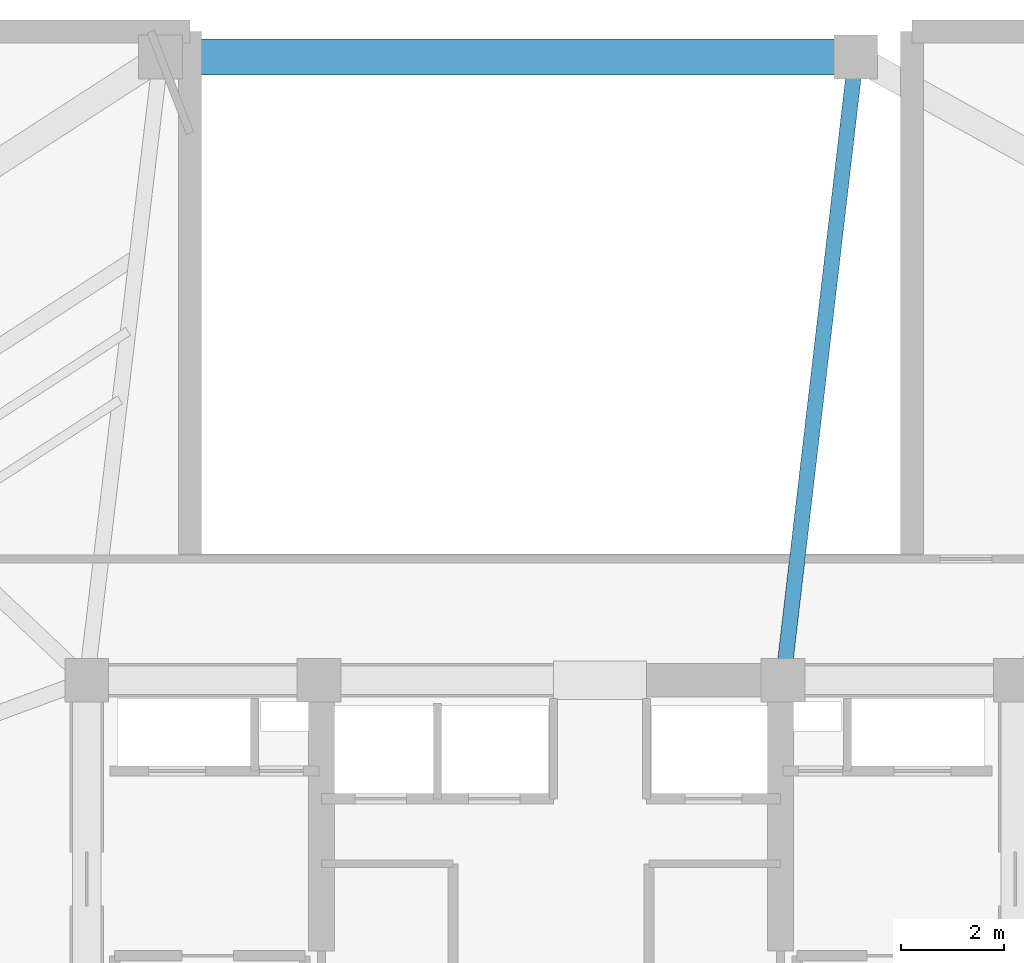
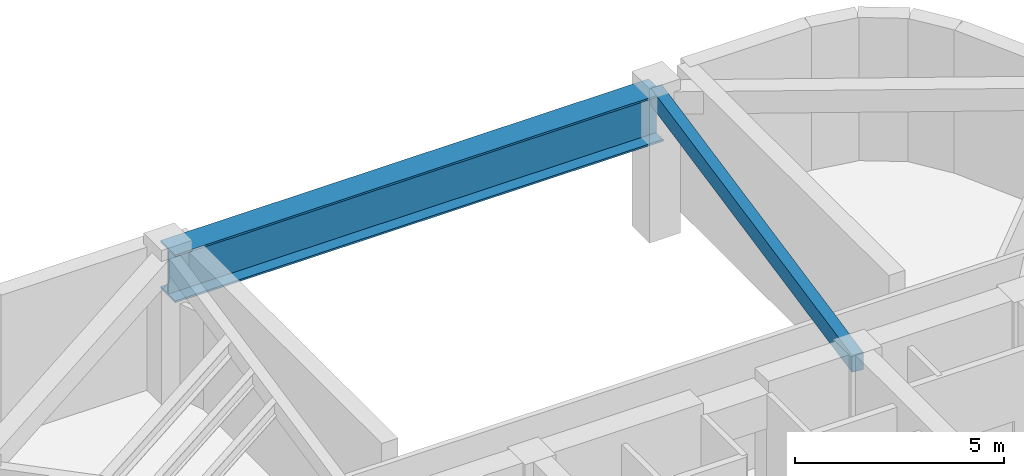
# One storey, part 8 of 15: 2 beams.
"""IFC4 building model written with IfcOpenShell, lengths in metres."""

from ifc_helpers import new_model, si_unit, direction, frame, origin, origin_2d, place, context, subcontext, project, spatial, rectangle, i_section, extrude, material, material_profile, profile_set, type_object, element, save


model = new_model("IFC4")

# Units and contexts
model_context = context("Model", 3, precision=1e-05, world=origin(), true_north=direction((0.0, 1.0)))
body_context = subcontext(model_context, "Body", "Model", "MODEL_VIEW")
ifc_project = project(units=[si_unit("LENGTHUNIT", "METRE"), si_unit("AREAUNIT", "SQUARE_METRE"), si_unit("VOLUMEUNIT", "CUBIC_METRE"), si_unit("PLANEANGLEUNIT", "RADIAN"), si_unit("MASSUNIT", "GRAM", prefix="KILO")], contexts=[model_context])

# Site, building, storey
site_placement = place(None, origin())
site = spatial("IfcSite", under=ifc_project, at=site_placement, CompositionType="ELEMENT")
building_placement = place(site_placement, origin())
building = spatial("IfcBuilding", under=site, at=building_placement, Name="Kilnhurst Terrace Hotel", CompositionType="ELEMENT")
storey_placement = place(building_placement, frame((0.0, 0.0, 293.10009765625)))
storey = spatial("IfcBuildingStorey", under=building, at=storey_placement, Name="L73", CompositionType="ELEMENT", Elevation=293.10009765625)

# Beams
ifc_material_1 = material(Name="Concrete C50/60", Category="concrete")
ifc_material_profile_1 = material_profile(ifc_material_1, rectangle(XDim=0.300048828125, YDim=0.5, at=origin_2d()), Name="RC300X500")
ifc_profile_set_1 = profile_set([ifc_material_profile_1], Name="Concrete C50/60")
beam_type_1 = type_object("IfcBeamType", Name="BM-RAD-300X500", PredefinedType="BEAM", material=ifc_profile_set_1)
beam_1_placement = place(storey_placement, frame((4.5, 7.5, 3.929931640625), z_axis=(0.115768472001, 0.993276225876, 0.0), x_axis=(-0.993276225876, 0.115768472001, 0.0)))
element("IfcBeam", 1, at=beam_1_placement, inside=storey, type_object=beam_type_1, Name="L73 Radial Floor Beam 7", PredefinedType="BEAM", context=body_context, shape_type="SweptSolid", body=[
    extrude(rectangle(XDim=0.300048828125, YDim=0.5, at=origin_2d()), origin(), (0.0, 0.0, 1.0), 12.161865234375),
])
ifc_material_2 = material(Name="Steel ASTM A572 Grade 50", Category="steel")
ifc_material_profile_2 = material_profile(ifc_material_2, i_section(OverallWidth=0.699951171875, OverallDepth=1.39990234375, WebThickness=0.035888671875, FlangeThickness=0.054931640625, at=origin_2d()), Name="PG1400X700")
ifc_profile_set_2 = profile_set([ifc_material_profile_2], Name="Steel ASTM A572 Grade 50")
beam_type_2 = type_object("IfcBeamType", Name="TG-PORT-1400", PredefinedType="USERDEFINED", material=ifc_profile_set_2)
beam_2_placement = place(storey_placement, frame((5.907958984375, 19.580078125, 3.47998046875), z_axis=(-1.0, 0.0, 0.0), x_axis=(0.0, -1.0, 0.0)))
element("IfcBeam", 2, at=beam_2_placement, inside=storey, type_object=beam_type_2, Name="L73 Perimeter Spandrel Beam 7", ObjectType="GIRDER", PredefinedType="USERDEFINED", context=body_context, shape_type="SweptSolid", body=[
    extrude(i_section(OverallWidth=0.699951171875, OverallDepth=1.39990234375, WebThickness=0.035888671875, FlangeThickness=0.054931640625, at=origin_2d()), origin(), (0.0, 0.0, 1.0), 13.47705078125),
])

save(model, "model.ifc")
